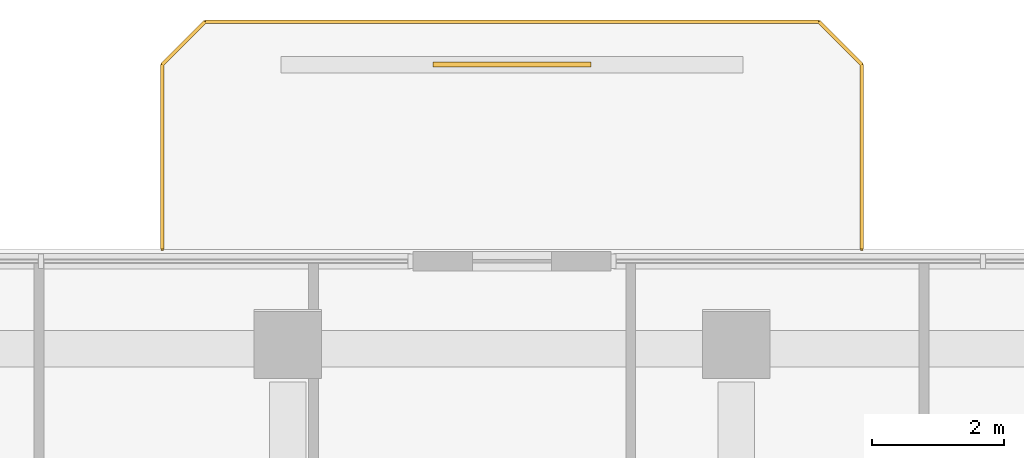
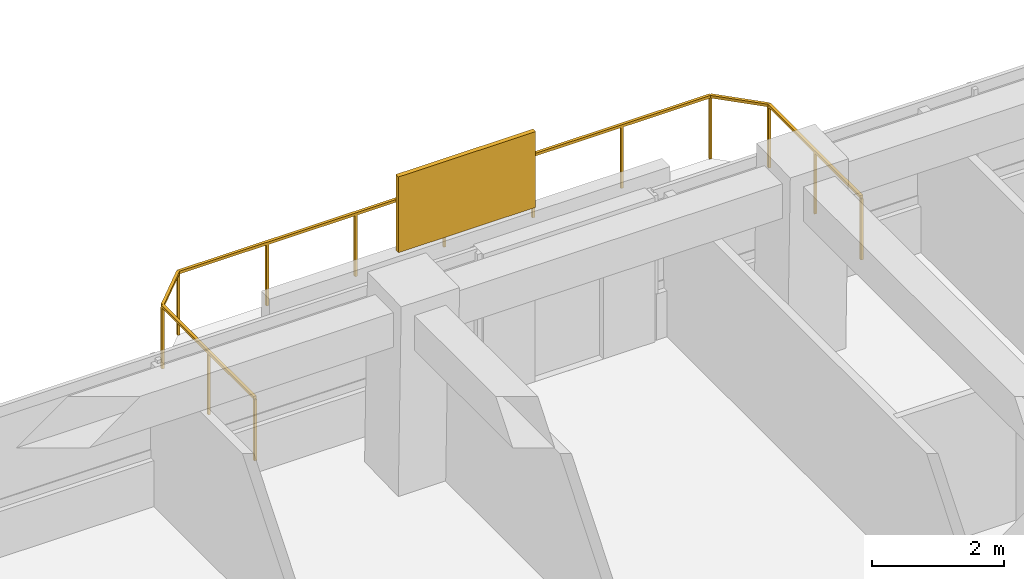
# One storey, part 13 of 13: 1 railing, 1 shading device.
"""IFC4 building model written with IfcOpenShell, lengths in metres."""

from ifc_helpers import new_model, si_unit, derived_unit, direction, frame, origin, origin_2d, place, context, subcontext, project, spatial, rectangle, extrude, material, layer, layer_set, type_object, element, save


model = new_model("IFC4")

# Units and contexts
model_context = context("Model", 3, precision=1e-05, world=origin(), true_north=direction((0.0, 1.0)))
body_context = subcontext(model_context, "Body", "Model", "MODEL_VIEW")
ifc_project = project(units=[si_unit("LENGTHUNIT", "METRE"), si_unit("AREAUNIT", "SQUARE_METRE"), si_unit("VOLUMEUNIT", "CUBIC_METRE"), si_unit("PLANEANGLEUNIT", "RADIAN"), si_unit("MASSUNIT", "GRAM", prefix="KILO"), derived_unit("THERMALTRANSMITTANCEUNIT", [(si_unit("POWERUNIT", "WATT"), 1), (si_unit("LENGTHUNIT", "METRE"), -2), (si_unit("THERMODYNAMICTEMPERATUREUNIT", "KELVIN"), -1)])], contexts=[model_context])

# Site, building, storey
site_placement = place(None, origin())
site = spatial("IfcSite", under=ifc_project, at=site_placement, CompositionType="ELEMENT")
building_placement = place(site_placement, origin())
building = spatial("IfcBuilding", under=site, at=building_placement, Name="Koralith Skygarden Medical Center", CompositionType="ELEMENT")
storey_placement = place(building_placement, frame((0.0, 0.0, 117.179931640625)))
storey = spatial("IfcBuildingStorey", under=building, at=storey_placement, Name="L30", CompositionType="ELEMENT", Elevation=117.179931640625)

# Railing
ifc_material_1 = material(Name="Steel ASTM A500 Grade C", Category="steel")
railing_type = type_object("IfcRailingType", Name="Outdoor Terrace & Balcony Safety Guardrail 1180", PredefinedType="GUARDRAIL", material=ifc_material_1)
railing_placement = place(storey_placement, frame((42.300048828125, 47.592041015625, 0.0)))
element("IfcRailing", 1, at=railing_placement, inside=storey, type_object=railing_type, Name="L30 N Balcony Perimeter Guardrail", PredefinedType="GUARDRAIL", context=body_context, shape_type="SweptSolid", body=[
    extrude(rectangle(XDim=0.050048828125, YDim=0.050048828125, at=origin_2d()), frame((0.0, 0.001953125, 1.15478515625), z_axis=(0.0, 1.0, 0.0), x_axis=(-1.0, 0.0, 0.0)), (0.0, 0.0, 1.0), 2.796142578125),
    extrude(rectangle(XDim=0.050048828125, YDim=0.050048828125, at=origin_2d()), frame((-0.00146484375, 2.801513671875, 1.15478515625), z_axis=(-0.707239558722, 0.706973978714, 0.0), x_axis=(-0.706973978714, -0.707239558722, 0.0)), (0.0, 0.0, 1.0), 0.915283203125),
    extrude(rectangle(XDim=0.050048828125, YDim=0.050048828125, at=origin_2d()), frame((-0.652099609375, 3.449951171875, 1.15478515625), z_axis=(-1.0, 0.0, 0.0), x_axis=(0.0, -1.0, 0.0)), (0.0, 0.0, 1.0), 9.2958984375),
    extrude(rectangle(XDim=0.050048828125, YDim=0.050048828125, at=origin_2d()), frame((-9.951416015625, 3.448486328125, 1.15478515625), z_axis=(-0.707239558722, -0.706973978714, 0.0), x_axis=(0.706973978714, -0.707239558722, 0.0)), (0.0, 0.0, 1.0), 0.915283203125),
    extrude(rectangle(XDim=0.050048828125, YDim=0.050048828125, at=origin_2d()), frame((-10.60009765625, 2.798095703125, 1.15478515625), z_axis=(0.0, -1.0, 0.0), x_axis=(1.0, 0.0, 0.0)), (0.0, 0.0, 1.0), 2.796142578125),
    extrude(rectangle(XDim=0.0419921875, YDim=0.0419921875, at=origin_2d()), origin(), (0.0, 0.0, 1.0), 1.1279296875),
    extrude(rectangle(XDim=0.0419921875, YDim=0.0419921875, at=origin_2d()), frame((0.0, 1.39990234375, 0.0)), (0.0, 0.0, 1.0), 1.1279296875),
    extrude(rectangle(XDim=0.0419921875, YDim=0.0419921875, at=origin_2d()), frame((0.0, 2.800048828125, 0.0)), (0.0, 0.0, 1.0), 1.1279296875),
    extrude(rectangle(XDim=0.0419921875, YDim=0.0419921875, at=origin_2d()), frame((-0.650146484375, 3.449951171875, 0.0)), (0.0, 0.0, 1.0), 1.1279296875),
    extrude(rectangle(XDim=0.0419921875, YDim=0.0419921875, at=origin_2d()), frame((-2.2001953125, 3.449951171875, 0.0)), (0.0, 0.0, 1.0), 1.1279296875),
    extrude(rectangle(XDim=0.0419921875, YDim=0.0419921875, at=origin_2d()), frame((-3.75, 3.449951171875, 0.0)), (0.0, 0.0, 1.0), 1.1279296875),
    extrude(rectangle(XDim=0.0419921875, YDim=0.0419921875, at=origin_2d()), frame((-5.300048828125, 3.449951171875, 0.0)), (0.0, 0.0, 1.0), 1.1279296875),
    extrude(rectangle(XDim=0.0419921875, YDim=0.0419921875, at=origin_2d()), frame((-6.85009765625, 3.449951171875, 0.0)), (0.0, 0.0, 1.0), 1.1279296875),
    extrude(rectangle(XDim=0.0419921875, YDim=0.0419921875, at=origin_2d()), frame((-8.39990234375, 3.449951171875, 0.0)), (0.0, 0.0, 1.0), 1.1279296875),
    extrude(rectangle(XDim=0.0419921875, YDim=0.0419921875, at=origin_2d()), frame((-9.949951171875, 3.449951171875, 0.0)), (0.0, 0.0, 1.0), 1.1279296875),
    extrude(rectangle(XDim=0.0419921875, YDim=0.0419921875, at=origin_2d()), frame((-10.60009765625, 2.800048828125, 0.0)), (0.0, 0.0, 1.0), 1.1279296875),
    extrude(rectangle(XDim=0.0419921875, YDim=0.0419921875, at=origin_2d()), frame((-10.60009765625, 1.39990234375, 0.0)), (0.0, 0.0, 1.0), 1.1279296875),
    extrude(rectangle(XDim=0.0419921875, YDim=0.0419921875, at=origin_2d()), frame((-10.60009765625, 0.0, 0.0)), (0.0, 0.0, 1.0), 1.1279296875),
])

# Shading device
ifc_material_2 = material(Name="Aluminium 6063-T6", Category="aluminium")
ifc_layer = layer(ifc_material_2, 0.080078125)
ifc_layer_set = layer_set([ifc_layer], Name="Aluminium 6063-T6")
shading_device_type = type_object("IfcShadingDeviceType", Name="Perforated Biophilic Balcony Trellis Screen", PredefinedType="USERDEFINED", material=ifc_layer_set)
shading_device_placement = place(storey_placement, frame((37.0, 50.39208984375, 0.72021484375), z_axis=(0.0, 0.0, 1.0), x_axis=(1.0, 0.0, 0.0)))
element("IfcShadingDevice", 2, at=shading_device_placement, inside=storey, type_object=shading_device_type, Name="L30 N Biophilic Balcony Trellis Screen", ObjectType="HURRICANE SCREEN", PredefinedType="USERDEFINED", context=body_context, shape_type="SweptSolid", body=[
    extrude(rectangle(XDim=2.39990234375, YDim=0.080078125, at=origin_2d()), origin(), (0.0, 0.0, 1.0), 1.39990234375),
])

save(model, "model.ifc")
